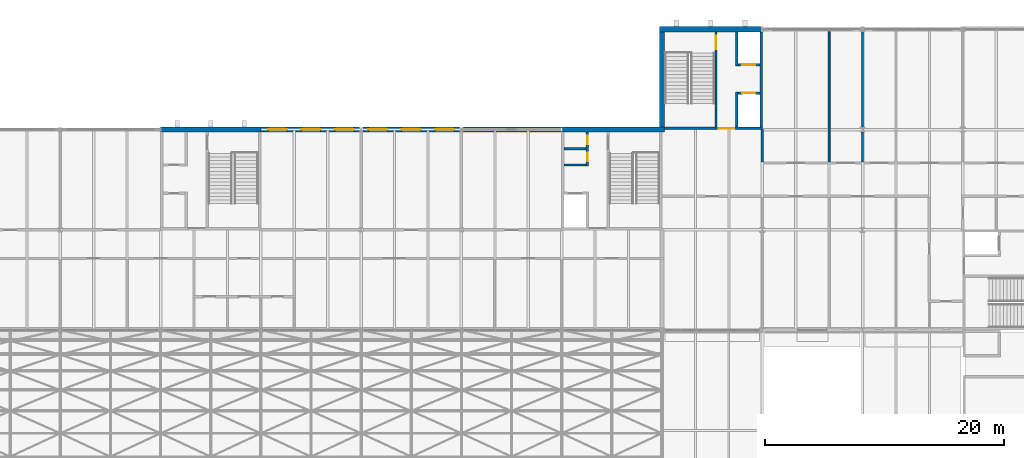
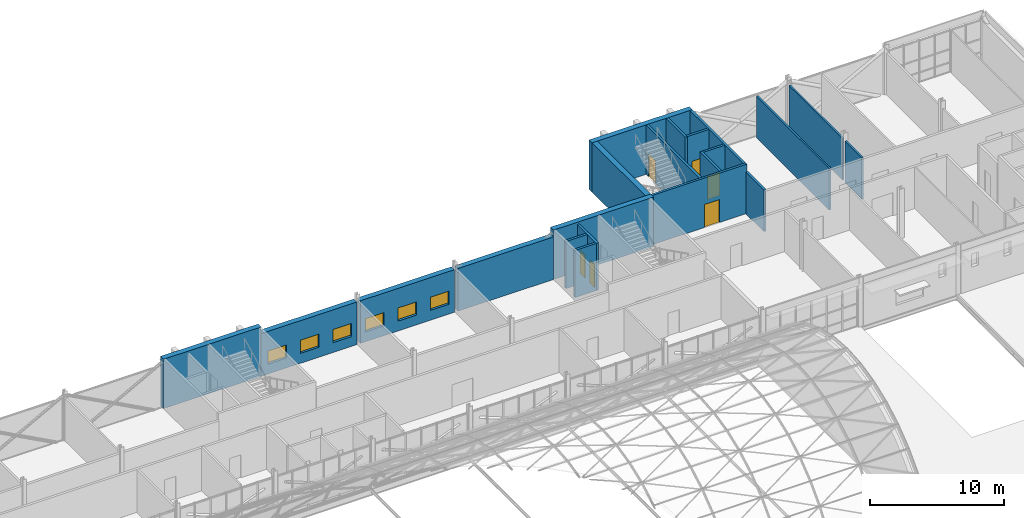
# One storey, part 89 of 121: 21 walls, 6 doors, 6 windows, 12 openings.
"""IFC4 building model written with IfcOpenShell, lengths in metres."""

from ifc_helpers import new_model, si_unit, direction, frame, frame_2d, origin, place, context, subcontext, project, spatial, rectangle, extrude, material, layer, layer_set, type_object, element, fill, save


model = new_model("IFC4")

# Units and contexts
model_context = context("Model", 3, precision=1e-05, world=origin(), true_north=direction((0.0, 1.0)))
body_context = subcontext(model_context, "Body", "Model", "MODEL_VIEW")
ifc_project = project(units=[si_unit("LENGTHUNIT", "METRE"), si_unit("AREAUNIT", "SQUARE_METRE"), si_unit("VOLUMEUNIT", "CUBIC_METRE"), si_unit("PLANEANGLEUNIT", "RADIAN"), si_unit("MASSUNIT", "GRAM", prefix="KILO")], contexts=[model_context])

# Site, building, storey
site_placement = place(None, origin())
site = spatial("IfcSite", under=ifc_project, at=site_placement, CompositionType="ELEMENT")
building_placement = place(site_placement, origin())
building = spatial("IfcBuilding", under=site, at=building_placement, Name="Ardhachandra Cancer Care Centre", CompositionType="ELEMENT")
storey_placement = place(building_placement, frame((0.0, 0.0, 9.0)))
storey = spatial("IfcBuildingStorey", under=building, at=storey_placement, Name="L02", CompositionType="ELEMENT", Elevation=9.0)

# Walls
ifc_material_1 = material(Name="Gypsum board corridor partition on steel studs", Category="steel")
ifc_layer_1 = layer(ifc_material_1, 0.199951171875)
ifc_layer_set_1 = layer_set([ifc_layer_1], Name="Gypsum board corridor partition on steel studs")
wall_type_1 = type_object("IfcWallType", Name="CORRIDOR WALL 200", PredefinedType="PARTITIONING", material=ifc_layer_set_1)
wall_1_placement = place(storey_placement, frame((120.0, 93.89990234375, 0.0), z_axis=(0.0, 0.0, 1.0), x_axis=(0.0, 1.0, 0.0)))
element("IfcWall", 1, at=wall_1_placement, inside=storey, type_object=wall_type_1, Name="R/wall/L02/v0120000_0093900", PredefinedType="PARTITIONING", context=body_context, shape_type="SweptSolid", body=[
    extrude(rectangle(XDim=2.7001953125, YDim=0.199951171875, at=frame_2d((1.35009765625, 0.0))), origin(), (0.0, 0.0, 1.0), 3.800048828125),
])
ifc_material_2 = material(Name="Concrete M40", Category="concrete")
ifc_layer_2 = layer(ifc_material_2, 0.449951171875)
ifc_layer_set_2 = layer_set([ifc_layer_2], Name="Concrete M40")
wall_type_2 = type_object("IfcWallType", Name="Core exterior wall RC 450", PredefinedType="SOLIDWALL", material=ifc_layer_set_2)
wall_2_placement = place(storey_placement, frame((111.824951171875, 96.60009765625, 0.0), z_axis=(0.0, 0.0, 1.0), x_axis=(-1.0, 0.0, 0.0)))
element("IfcWall", 2, at=wall_2_placement, inside=storey, type_object=wall_type_2, Name="Core wall K7 FAR", PredefinedType="SOLIDWALL", context=body_context, shape_type="SweptSolid", body=[
    extrude(rectangle(XDim=8.625, YDim=0.449951171875, at=frame_2d((4.3125, 0.0))), origin(), (0.0, 0.0, 1.0), 4.5),
])
wall_3_placement = place(storey_placement, frame((78.0, 96.60009765625, 0.0), z_axis=(0.0, 0.0, 1.0), x_axis=(-1.0, 0.0, 0.0)))
element("IfcWall", 3, at=wall_3_placement, inside=storey, type_object=wall_type_2, Name="Core wall K8 FAR", PredefinedType="SOLIDWALL", context=body_context, shape_type="SweptSolid", body=[
    extrude(rectangle(XDim=8.39990234375, YDim=0.449951171875, at=frame_2d((4.199951171875, 0.0))), origin(), (0.0, 0.0, 1.0), 4.5),
])
wall_4_placement = place(storey_placement, frame((111.375, 105.0, 0.0), z_axis=(0.0, 0.0, 1.0), x_axis=(1.0, 0.0, 0.0)))
element("IfcWall", 4, at=wall_4_placement, inside=storey, type_object=wall_type_2, Name="Core wall K12 FAR", PredefinedType="SOLIDWALL", context=body_context, shape_type="SweptSolid", body=[
    extrude(rectangle(XDim=8.625, YDim=0.449951171875, at=frame_2d((4.3125, 0.0))), origin(), (0.0, 0.0, 1.0), 4.5),
])
wall_5_placement = place(storey_placement, frame((111.60009765625, 96.824951171875, 0.0), z_axis=(0.0, 0.0, 1.0), x_axis=(0.0, 1.0, 0.0)))
element("IfcWall", 5, at=wall_5_placement, inside=storey, type_object=wall_type_2, Name="Core wall K12 UW", PredefinedType="SOLIDWALL", context=body_context, shape_type="SweptSolid", body=[
    extrude(rectangle(XDim=7.949951171875, YDim=0.449951171875, at=frame_2d((3.97509765625, 0.0))), origin(), (0.0, 0.0, 1.0), 4.5),
])

# Wall, openings, doors
ifc_material_3 = material(Name="Concrete M40", Category="concrete")
ifc_layer_3 = layer(ifc_material_3, 0.199951171875)
ifc_layer_set_3 = layer_set([ifc_layer_3], Name="Concrete M40")
wall_type_3 = type_object("IfcWallType", Name="Core wall RC 200", PredefinedType="SOLIDWALL", material=ifc_layer_set_3)
wall_6_placement = place(storey_placement, frame((105.35009765625, 93.52490234375, 0.0), z_axis=(0.0, 0.0, 1.0), x_axis=(0.0, 1.0, 0.0)))
wall_6 = element("IfcWall", 6, at=wall_6_placement, inside=storey, type_object=wall_type_3, Name="Core wall K7 P2B", PredefinedType="SOLIDWALL", context=body_context, shape_type="SweptSolid", body=[
    extrude(rectangle(XDim=2.85009765625, YDim=0.199951171875, at=frame_2d((1.425048828125, 0.0))), origin(), (0.0, 0.0, 1.0), 4.300048828125),
])
opening_1_placement = place(wall_6_placement, frame((0.425048828125, 0.0, 0.0)))
opening_1 = element("IfcOpeningElement", 7, at=opening_1_placement, cuts=wall_6, Name="Opening L02-K07-4", PredefinedType="OPENING", context=body_context, shape_type="SweptSolid", body=[
    extrude(rectangle(XDim=0.699951171875, YDim=2.10009765625, at=frame_2d((0.35009765625, 1.050048828125))), frame((0.0, 0.10986328125, 0.0), z_axis=(0.0, -1.0, 0.0), x_axis=(1.0, 0.0, 0.0)), (0.0, 0.0, 1.0), 0.219970703125),
])
opening_2_placement = place(wall_6_placement, frame((1.85009765625, 0.0, 0.0)))
opening_2 = element("IfcOpeningElement", 8, at=opening_2_placement, cuts=wall_6, Name="Opening L02-K07-5", PredefinedType="OPENING", context=body_context, shape_type="SweptSolid", body=[
    extrude(rectangle(XDim=0.699951171875, YDim=2.10009765625, at=frame_2d((0.35009765625, 1.050048828125))), frame((0.0, 0.10986328125, 0.0), z_axis=(0.0, -1.0, 0.0), x_axis=(1.0, 0.0, 0.0)), (0.0, 0.0, 1.0), 0.219970703125),
])
ifc_material_4 = material(Name="Steel door set", Category="steel")
door_type_1 = type_object("IfcDoorType", Name="Riser access door 700x2100 FD120S", OperationType="NOTDEFINED", PredefinedType="DOOR", material=ifc_material_4)
door_1_placement = place(opening_1_placement, origin())
door_1 = element("IfcDoor", 9, at=door_1_placement, inside=storey, type_object=door_type_1, Name="Riser access door", OperationType="SINGLE_SWING_RIGHT", OverallHeight=2.10009765625, OverallWidth=0.699951171875, PredefinedType="DOOR", context=body_context, shape_type="SweptSolid", body=[
    extrude(rectangle(XDim=0.699951171875, YDim=2.10009765625, at=frame_2d((0.35009765625, 1.050048828125))), frame((0.0, 0.02490234375, 0.0), z_axis=(0.0, -1.0, 0.0), x_axis=(1.0, 0.0, 0.0)), (0.0, 0.0, 1.0), 0.050048828125),
])
fill(opening_1, door_1)
door_2_placement = place(opening_2_placement, origin())
door_2 = element("IfcDoor", 10, at=door_2_placement, inside=storey, type_object=door_type_1, Name="Riser access door", OperationType="SINGLE_SWING_LEFT", OverallHeight=2.10009765625, OverallWidth=0.699951171875, PredefinedType="DOOR", context=body_context, shape_type="SweptSolid", body=[
    extrude(rectangle(XDim=0.699951171875, YDim=2.10009765625, at=frame_2d((0.35009765625, 1.050048828125))), frame((0.0, 0.02490234375, 0.0), z_axis=(0.0, -1.0, 0.0), x_axis=(1.0, 0.0, 0.0)), (0.0, 0.0, 1.0), 0.050048828125),
])
fill(opening_2, door_2)

# Walls
for number, where, z_axis, x_axis, name in (
    (11, (105.25, 93.625, 0.0), (0.0, 0.0, 1.0), (-1.0, 0.0, 0.0), "Core wall K7 W2"),
    (12, (105.25, 94.97509765625, 0.0), (0.0, 0.0, 1.0), (-1.0, 0.0, 0.0), "Core wall K7 DIV"),
):
    element("IfcWall", number, at=place(storey_placement, frame(where, z_axis=z_axis, x_axis=x_axis)), inside=storey, type_object=wall_type_3, Name=name, PredefinedType="SOLIDWALL", context=body_context, shape_type="SweptSolid", body=[
        extrude(rectangle(XDim=1.85009765625, YDim=0.199951171875, at=frame_2d((0.925048828125, 0.0))), origin(), (0.0, 0.0, 1.0), 4.300048828125),
    ])

# Wall, opening, door
wall_7_placement = place(storey_placement, frame((111.824951171875, 96.699951171875, 0.0), z_axis=(0.0, 0.0, 1.0), x_axis=(1.0, 0.0, 0.0)))
wall_7 = element("IfcWall", 13, at=wall_7_placement, inside=storey, type_object=wall_type_3, Name="Core wall K12 ENT", PredefinedType="SOLIDWALL", context=body_context, shape_type="SweptSolid", body=[
    extrude(rectangle(XDim=8.175048828125, YDim=0.199951171875, at=frame_2d((4.08740234375, 0.0))), origin(), (0.0, 0.0, 1.0), 4.5),
])
opening_3_placement = place(wall_7_placement, frame((4.512451171875, 0.0, 0.0)))
opening_3 = element("IfcOpeningElement", 14, at=opening_3_placement, cuts=wall_7, Name="Opening L02-K12-1", PredefinedType="OPENING", context=body_context, shape_type="SweptSolid", body=[
    extrude(rectangle(XDim=1.300048828125, YDim=2.10009765625, at=frame_2d((0.64990234375, 1.050048828125))), frame((0.0, 0.10986328125, 0.0), z_axis=(0.0, -1.0, 0.0), x_axis=(1.0, 0.0, 0.0)), (0.0, 0.0, 1.0), 0.219970703125),
])
ifc_material_5 = material(Name="Steel door set", Category="steel")
door_type_2 = type_object("IfcDoorType", Name="Core entry double door 1300x2100 FD60", OperationType="DOUBLE_DOOR_DOUBLE_SWING", PredefinedType="DOOR", material=ifc_material_5)
door_3_placement = place(opening_3_placement, origin())
door_3 = element("IfcDoor", 15, at=door_3_placement, inside=storey, type_object=door_type_2, Name="Core entry door", OperationType="DOUBLE_DOOR_DOUBLE_SWING", OverallHeight=2.10009765625, OverallWidth=1.300048828125, PredefinedType="DOOR", context=body_context, shape_type="SweptSolid", body=[
    extrude(rectangle(XDim=1.300048828125, YDim=2.10009765625, at=frame_2d((0.64990234375, 1.050048828125))), frame((0.0, 0.02490234375, 0.0), z_axis=(0.0, -1.0, 0.0), x_axis=(1.0, 0.0, 0.0)), (0.0, 0.0, 1.0), 0.050048828125),
])
fill(opening_3, door_3)

# Wall
wall_8_placement = place(storey_placement, frame((119.89990234375, 96.800048828125, 0.0), z_axis=(0.0, 0.0, 1.0), x_axis=(0.0, 1.0, 0.0)))
element("IfcWall", 16, at=wall_8_placement, inside=storey, type_object=wall_type_3, Name="Core wall K12 UE", PredefinedType="SOLIDWALL", context=body_context, shape_type="SweptSolid", body=[
    extrude(rectangle(XDim=7.974853515625, YDim=0.199951171875, at=frame_2d((3.9873046875, 0.0))), origin(), (0.0, 0.0, 1.0), 4.5),
])

# Wall, opening, door
wall_9_placement = place(storey_placement, frame((116.125, 96.800048828125, 0.0), z_axis=(0.0, 0.0, 1.0), x_axis=(0.0, 1.0, 0.0)))
wall_9 = element("IfcWall", 17, at=wall_9_placement, inside=storey, type_object=wall_type_3, Name="Core wall K12 P1", PredefinedType="SOLIDWALL", context=body_context, shape_type="SweptSolid", body=[
    extrude(rectangle(XDim=7.974853515625, YDim=0.199951171875, at=frame_2d((3.9873046875, 0.0))), origin(), (0.0, 0.0, 1.0), 4.5),
])
opening_4_placement = place(wall_9_placement, frame((6.53759765625, 0.0, 0.0)))
opening_4 = element("IfcOpeningElement", 18, at=opening_4_placement, cuts=wall_9, Name="Opening L02-K12-2", PredefinedType="OPENING", context=body_context, shape_type="SweptSolid", body=[
    extrude(rectangle(XDim=1.10009765625, YDim=2.10009765625, at=frame_2d((0.550048828125, 1.050048828125))), frame((0.0, 0.10986328125, 0.0), z_axis=(0.0, -1.0, 0.0), x_axis=(1.0, 0.0, 0.0)), (0.0, 0.0, 1.0), 0.219970703125),
])
ifc_material_6 = material(Name="Steel door set", Category="steel")
door_type_3 = type_object("IfcDoorType", Name="Stair door 1100x2100 FD60S", OperationType="NOTDEFINED", PredefinedType="DOOR", material=ifc_material_6)
door_4_placement = place(opening_4_placement, origin())
door_4 = element("IfcDoor", 19, at=door_4_placement, inside=storey, type_object=door_type_3, Name="Stair door", OperationType="SINGLE_SWING_RIGHT", OverallHeight=2.10009765625, OverallWidth=1.10009765625, PredefinedType="DOOR", context=body_context, shape_type="SweptSolid", body=[
    extrude(rectangle(XDim=1.10009765625, YDim=2.10009765625, at=frame_2d((0.550048828125, 1.050048828125))), frame((0.0, 0.02490234375, 0.0), z_axis=(0.0, -1.0, 0.0), x_axis=(1.0, 0.0, 0.0)), (0.0, 0.0, 1.0), 0.050048828125),
])
fill(opening_4, door_4)

# Walls
wall_10_placement = place(storey_placement, frame((117.85009765625, 96.800048828125, 0.0), z_axis=(0.0, 0.0, 1.0), x_axis=(0.0, 1.0, 0.0)))
element("IfcWall", 20, at=wall_10_placement, inside=storey, type_object=wall_type_3, Name="Core wall K12 P2A", PredefinedType="SOLIDWALL", context=body_context, shape_type="SweptSolid", body=[
    extrude(rectangle(XDim=2.949951171875, YDim=0.199951171875, at=frame_2d((1.47509765625, 0.0))), origin(), (0.0, 0.0, 1.0), 4.5),
])
wall_11_placement = place(storey_placement, frame((117.85009765625, 101.925048828125, 0.0), z_axis=(0.0, 0.0, 1.0), x_axis=(0.0, 1.0, 0.0)))
element("IfcWall", 21, at=wall_11_placement, inside=storey, type_object=wall_type_3, Name="Core wall K12 P2B", PredefinedType="SOLIDWALL", context=body_context, shape_type="SweptSolid", body=[
    extrude(rectangle(XDim=2.849853515625, YDim=0.199951171875, at=frame_2d((1.4248046875, 0.0))), origin(), (0.0, 0.0, 1.0), 4.5),
])

# Wall, opening, door
wall_12_placement = place(storey_placement, frame((117.949951171875, 99.64990234375, 0.0), z_axis=(0.0, 0.0, 1.0), x_axis=(1.0, 0.0, 0.0)))
wall_12 = element("IfcWall", 22, at=wall_12_placement, inside=storey, type_object=wall_type_3, Name="Core wall K12 W1", PredefinedType="SOLIDWALL", context=body_context, shape_type="SweptSolid", body=[
    extrude(rectangle(XDim=1.85009765625, YDim=0.199951171875, at=frame_2d((0.925048828125, 0.0))), origin(), (0.0, 0.0, 1.0), 4.5),
])
opening_5_placement = place(wall_12_placement, frame((0.375, 0.0, 0.0)))
opening_5 = element("IfcOpeningElement", 23, at=opening_5_placement, cuts=wall_12, Name="Opening L02-K12-3", PredefinedType="OPENING", context=body_context, shape_type="SweptSolid", body=[
    extrude(rectangle(XDim=1.10009765625, YDim=2.10009765625, at=frame_2d((0.550048828125, 1.050048828125))), frame((0.0, 0.10986328125, 0.0), z_axis=(0.0, -1.0, 0.0), x_axis=(1.0, 0.0, 0.0)), (0.0, 0.0, 1.0), 0.219970703125),
])
ifc_material_7 = material(Name="Stainless steel (grade 304)", Category="steel")
door_type_4 = type_object("IfcDoorType", Name="Lift landing door 1100x2100", OperationType="DOUBLE_DOOR_SLIDING", PredefinedType="DOOR", material=ifc_material_7)
door_5_placement = place(opening_5_placement, origin())
door_5 = element("IfcDoor", 24, at=door_5_placement, inside=storey, type_object=door_type_4, Name="Lift landing door LF-K12-1", OperationType="DOUBLE_DOOR_SLIDING", OverallHeight=2.10009765625, OverallWidth=1.10009765625, PredefinedType="DOOR", context=body_context, shape_type="SweptSolid", body=[
    extrude(rectangle(XDim=1.10009765625, YDim=2.10009765625, at=frame_2d((0.550048828125, 1.050048828125))), frame((0.0, 0.02490234375, 0.0), z_axis=(0.0, -1.0, 0.0), x_axis=(1.0, 0.0, 0.0)), (0.0, 0.0, 1.0), 0.050048828125),
])
fill(opening_5, door_5)

wall_13_placement = place(storey_placement, frame((117.949951171875, 102.02490234375, 0.0), z_axis=(0.0, 0.0, 1.0), x_axis=(1.0, 0.0, 0.0)))
wall_13 = element("IfcWall", 25, at=wall_13_placement, inside=storey, type_object=wall_type_3, Name="Core wall K12 W2", PredefinedType="SOLIDWALL", context=body_context, shape_type="SweptSolid", body=[
    extrude(rectangle(XDim=1.85009765625, YDim=0.199951171875, at=frame_2d((0.925048828125, 0.0))), origin(), (0.0, 0.0, 1.0), 4.5),
])
opening_6_placement = place(wall_13_placement, frame((0.375, 0.0, 0.0)))
opening_6 = element("IfcOpeningElement", 26, at=opening_6_placement, cuts=wall_13, Name="Opening L02-K12-4", PredefinedType="OPENING", context=body_context, shape_type="SweptSolid", body=[
    extrude(rectangle(XDim=1.10009765625, YDim=2.10009765625, at=frame_2d((0.550048828125, 1.050048828125))), frame((0.0, 0.10986328125, 0.0), z_axis=(0.0, -1.0, 0.0), x_axis=(1.0, 0.0, 0.0)), (0.0, 0.0, 1.0), 0.219970703125),
])
door_6_placement = place(opening_6_placement, origin())
door_6 = element("IfcDoor", 27, at=door_6_placement, inside=storey, type_object=door_type_4, Name="Lift landing door LF-K12-2", OperationType="DOUBLE_DOOR_SLIDING", OverallHeight=2.10009765625, OverallWidth=1.10009765625, PredefinedType="DOOR", context=body_context, shape_type="SweptSolid", body=[
    extrude(rectangle(XDim=1.10009765625, YDim=2.10009765625, at=frame_2d((0.550048828125, 1.050048828125))), frame((0.0, 0.02490234375, 0.0), z_axis=(0.0, -1.0, 0.0), x_axis=(1.0, 0.0, 0.0)), (0.0, 0.0, 1.0), 0.050048828125),
])
fill(opening_6, door_6)

# Wall, openings, windows
ifc_material_8 = material(Name="Brick masonry (clay brick, cement mortar) with polyisocyanurate insulation", Category="masonry")
ifc_layer_4 = layer(ifc_material_8, 0.449951171875)
ifc_layer_set_4 = layer_set([ifc_layer_4], Name="Brick masonry (clay brick, cement mortar) with polyisocyanurate insulation")
wall_type_4 = type_object("IfcWallType", Name="Insulated brick wall 450", PredefinedType="SOLIDWALL", material=ifc_layer_set_4)
wall_14_placement = place(storey_placement, frame((78.0, 96.60009765625, 0.0), z_axis=(0.0, 0.0, 1.0), x_axis=(1.0, 0.0, 0.0)))
wall_14 = element("IfcWall", 28, at=wall_14_placement, inside=storey, type_object=wall_type_4, Name="E/wall/L02/n/0078000_0096600", PredefinedType="SOLIDWALL", context=body_context, shape_type="SweptSolid", body=[
    extrude(rectangle(XDim=8.25, YDim=0.449951171875, at=frame_2d((4.125, 0.0))), origin(), (0.0, 0.0, 1.0), 3.885986328125),
])
opening_7_placement = place(wall_14_placement, frame((0.60009765625, 0.0, 0.89990234375)))
opening_7 = element("IfcOpeningElement", 29, at=opening_7_placement, cuts=wall_14, Name="Opening W5", PredefinedType="OPENING", context=body_context, shape_type="SweptSolid", body=[
    extrude(rectangle(XDim=1.60009765625, YDim=1.199951171875, at=frame_2d((0.800048828125, 0.60009765625))), frame((0.0, 0.23486328125, 0.0), z_axis=(0.0, -1.0, 0.0), x_axis=(1.0, 0.0, 0.0)), (0.0, 0.0, 1.0), 0.469970703125),
])
opening_8_placement = place(wall_14_placement, frame((3.39990234375, 0.0, 0.89990234375)))
opening_8 = element("IfcOpeningElement", 30, at=opening_8_placement, cuts=wall_14, Name="Opening W5", PredefinedType="OPENING", context=body_context, shape_type="SweptSolid", body=[
    extrude(rectangle(XDim=1.60009765625, YDim=1.199951171875, at=frame_2d((0.800048828125, 0.60009765625))), frame((0.0, 0.23486328125, 0.0), z_axis=(0.0, -1.0, 0.0), x_axis=(1.0, 0.0, 0.0)), (0.0, 0.0, 1.0), 0.469970703125),
])
opening_9_placement = place(wall_14_placement, frame((6.199951171875, 0.0, 0.89990234375)))
opening_9 = element("IfcOpeningElement", 31, at=opening_9_placement, cuts=wall_14, Name="Opening W5", PredefinedType="OPENING", context=body_context, shape_type="SweptSolid", body=[
    extrude(rectangle(XDim=1.60009765625, YDim=1.199951171875, at=frame_2d((0.800048828125, 0.60009765625))), frame((0.0, 0.23486328125, 0.0), z_axis=(0.0, -1.0, 0.0), x_axis=(1.0, 0.0, 0.0)), (0.0, 0.0, 1.0), 0.469970703125),
])
ifc_material_9 = material(Name="Aluminium frame with double-glazed unit", Category="aluminium")
window_type = type_object("IfcWindowType", Name="Plant louvre window 1600 x 1200", PartitioningType="SINGLE_PANEL", PredefinedType="WINDOW", material=ifc_material_9)
window_1_placement = place(opening_7_placement, origin())
window_1 = element("IfcWindow", 32, at=window_1_placement, inside=storey, type_object=window_type, Name="W5 window L02 n/0078000_0096600 1", OverallHeight=1.199951171875, OverallWidth=1.60009765625, PartitioningType="SINGLE_PANEL", PredefinedType="WINDOW", context=body_context, shape_type="SweptSolid", body=[
    extrude(rectangle(XDim=1.60009765625, YDim=1.199951171875, at=frame_2d((0.800048828125, 0.60009765625))), frame((0.0, 0.030029296875, 0.0), z_axis=(0.0, -1.0, 0.0), x_axis=(1.0, 0.0, 0.0)), (0.0, 0.0, 1.0), 0.06005859375),
])
fill(opening_7, window_1)
window_2_placement = place(opening_8_placement, origin())
window_2 = element("IfcWindow", 33, at=window_2_placement, inside=storey, type_object=window_type, Name="W5 window L02 n/0078000_0096600 2", OverallHeight=1.199951171875, OverallWidth=1.60009765625, PartitioningType="SINGLE_PANEL", PredefinedType="WINDOW", context=body_context, shape_type="SweptSolid", body=[
    extrude(rectangle(XDim=1.60009765625, YDim=1.199951171875, at=frame_2d((0.800048828125, 0.60009765625))), frame((0.0, 0.030029296875, 0.0), z_axis=(0.0, -1.0, 0.0), x_axis=(1.0, 0.0, 0.0)), (0.0, 0.0, 1.0), 0.06005859375),
])
fill(opening_8, window_2)
window_3_placement = place(opening_9_placement, origin())
window_3 = element("IfcWindow", 34, at=window_3_placement, inside=storey, type_object=window_type, Name="W5 window L02 n/0078000_0096600 3", OverallHeight=1.199951171875, OverallWidth=1.60009765625, PartitioningType="SINGLE_PANEL", PredefinedType="WINDOW", context=body_context, shape_type="SweptSolid", body=[
    extrude(rectangle(XDim=1.60009765625, YDim=1.199951171875, at=frame_2d((0.800048828125, 0.60009765625))), frame((0.0, 0.030029296875, 0.0), z_axis=(0.0, -1.0, 0.0), x_axis=(1.0, 0.0, 0.0)), (0.0, 0.0, 1.0), 0.06005859375),
])
fill(opening_9, window_3)

wall_15_placement = place(storey_placement, frame((86.550048828125, 96.60009765625, 0.0), z_axis=(0.0, 0.0, 1.0), x_axis=(1.0, 0.0, 0.0)))
wall_15 = element("IfcWall", 35, at=wall_15_placement, inside=storey, type_object=wall_type_4, Name="E/wall/L02/n/0086400_0096600", PredefinedType="SOLIDWALL", context=body_context, shape_type="SweptSolid", body=[
    extrude(rectangle(XDim=8.099853515625, YDim=0.449951171875, at=frame_2d((4.0498046875, 0.0))), origin(), (0.0, 0.0, 1.0), 3.885986328125),
])
opening_10_placement = place(wall_15_placement, frame((0.449951171875, 0.0, 0.89990234375)))
opening_10 = element("IfcOpeningElement", 36, at=opening_10_placement, cuts=wall_15, Name="Opening W5", PredefinedType="OPENING", context=body_context, shape_type="SweptSolid", body=[
    extrude(rectangle(XDim=1.60009765625, YDim=1.199951171875, at=frame_2d((0.800048828125, 0.60009765625))), frame((0.0, 0.23486328125, 0.0), z_axis=(0.0, -1.0, 0.0), x_axis=(1.0, 0.0, 0.0)), (0.0, 0.0, 1.0), 0.469970703125),
])
opening_11_placement = place(wall_15_placement, frame((3.25, 0.0, 0.89990234375)))
opening_11 = element("IfcOpeningElement", 37, at=opening_11_placement, cuts=wall_15, Name="Opening W5", PredefinedType="OPENING", context=body_context, shape_type="SweptSolid", body=[
    extrude(rectangle(XDim=1.60009765625, YDim=1.199951171875, at=frame_2d((0.800048828125, 0.60009765625))), frame((0.0, 0.23486328125, 0.0), z_axis=(0.0, -1.0, 0.0), x_axis=(1.0, 0.0, 0.0)), (0.0, 0.0, 1.0), 0.469970703125),
])
opening_12_placement = place(wall_15_placement, frame((6.050048828125, 0.0, 0.89990234375)))
opening_12 = element("IfcOpeningElement", 38, at=opening_12_placement, cuts=wall_15, Name="Opening W5", PredefinedType="OPENING", context=body_context, shape_type="SweptSolid", body=[
    extrude(rectangle(XDim=1.60009765625, YDim=1.199951171875, at=frame_2d((0.800048828125, 0.60009765625))), frame((0.0, 0.23486328125, 0.0), z_axis=(0.0, -1.0, 0.0), x_axis=(1.0, 0.0, 0.0)), (0.0, 0.0, 1.0), 0.469970703125),
])
window_4_placement = place(opening_10_placement, origin())
window_4 = element("IfcWindow", 39, at=window_4_placement, inside=storey, type_object=window_type, Name="W5 window L02 n/0086400_0096600 1", OverallHeight=1.199951171875, OverallWidth=1.60009765625, PartitioningType="SINGLE_PANEL", PredefinedType="WINDOW", context=body_context, shape_type="SweptSolid", body=[
    extrude(rectangle(XDim=1.60009765625, YDim=1.199951171875, at=frame_2d((0.800048828125, 0.60009765625))), frame((0.0, 0.030029296875, 0.0), z_axis=(0.0, -1.0, 0.0), x_axis=(1.0, 0.0, 0.0)), (0.0, 0.0, 1.0), 0.06005859375),
])
fill(opening_10, window_4)
window_5_placement = place(opening_11_placement, origin())
window_5 = element("IfcWindow", 40, at=window_5_placement, inside=storey, type_object=window_type, Name="W5 window L02 n/0086400_0096600 2", OverallHeight=1.199951171875, OverallWidth=1.60009765625, PartitioningType="SINGLE_PANEL", PredefinedType="WINDOW", context=body_context, shape_type="SweptSolid", body=[
    extrude(rectangle(XDim=1.60009765625, YDim=1.199951171875, at=frame_2d((0.800048828125, 0.60009765625))), frame((0.0, 0.030029296875, 0.0), z_axis=(0.0, -1.0, 0.0), x_axis=(1.0, 0.0, 0.0)), (0.0, 0.0, 1.0), 0.06005859375),
])
fill(opening_11, window_5)
window_6_placement = place(opening_12_placement, origin())
window_6 = element("IfcWindow", 41, at=window_6_placement, inside=storey, type_object=window_type, Name="W5 window L02 n/0086400_0096600 3", OverallHeight=1.199951171875, OverallWidth=1.60009765625, PartitioningType="SINGLE_PANEL", PredefinedType="WINDOW", context=body_context, shape_type="SweptSolid", body=[
    extrude(rectangle(XDim=1.60009765625, YDim=1.199951171875, at=frame_2d((0.800048828125, 0.60009765625))), frame((0.0, 0.030029296875, 0.0), z_axis=(0.0, -1.0, 0.0), x_axis=(1.0, 0.0, 0.0)), (0.0, 0.0, 1.0), 0.06005859375),
])
fill(opening_12, window_6)

# Walls
wall_16_placement = place(storey_placement, frame((94.949951171875, 96.60009765625, 0.0), z_axis=(0.0, 0.0, 1.0), x_axis=(1.0, 0.0, 0.0)))
element("IfcWall", 42, at=wall_16_placement, inside=storey, type_object=wall_type_4, Name="E/wall/L02/n/0094800_0096600", PredefinedType="SOLIDWALL", context=body_context, shape_type="SweptSolid", body=[
    extrude(rectangle(XDim=8.25, YDim=0.449951171875, at=frame_2d((4.125, 0.0))), origin(), (0.0, 0.0, 1.0), 3.885986328125),
])
ifc_material_10 = material(Name="Gypsum board partition on steel studs", Category="steel")
ifc_layer_5 = layer(ifc_material_10, 0.14990234375)
ifc_layer_set_5 = layer_set([ifc_layer_5], Name="Gypsum board partition on steel studs")
wall_type_5 = type_object("IfcWallType", Name="PARTITION 150", PredefinedType="PARTITIONING", material=ifc_layer_set_5)
wall_17_placement = place(storey_placement, frame((125.60009765625, 93.89990234375, 0.0), z_axis=(0.0, 0.0, 1.0), x_axis=(0.0, 1.0, 0.0)))
element("IfcWall", 43, at=wall_17_placement, inside=storey, type_object=wall_type_5, Name="R/wall/L02/v0125600_0093900", PredefinedType="PARTITIONING", context=body_context, shape_type="SweptSolid", body=[
    extrude(rectangle(XDim=10.875, YDim=0.14990234375, at=frame_2d((5.4375, 0.0))), origin(), (0.0, 0.0, 1.0), 3.800048828125),
])
wall_18_placement = place(storey_placement, frame((128.39990234375, 93.89990234375, 0.0), z_axis=(0.0, 0.0, 1.0), x_axis=(0.0, 1.0, 0.0)))
element("IfcWall", 44, at=wall_18_placement, inside=storey, type_object=wall_type_5, Name="R/wall/L02/v0128400_0093900", PredefinedType="PARTITIONING", context=body_context, shape_type="SweptSolid", body=[
    extrude(rectangle(XDim=2.502685546875, YDim=0.14990234375, at=frame_2d((1.25146484375, 0.0))), origin(), (0.0, 0.0, 1.0), 3.800048828125),
])
wall_19_placement = place(storey_placement, frame((128.39990234375, 96.797607421875, 0.0), z_axis=(0.0, 0.0, 1.0), x_axis=(0.0, 1.0, 0.0)))
element("IfcWall", 45, at=wall_19_placement, inside=storey, type_object=wall_type_5, Name="R/wall/L02/v0128400_0096798", PredefinedType="PARTITIONING", context=body_context, shape_type="SweptSolid", body=[
    extrude(rectangle(XDim=7.977294921875, YDim=0.14990234375, at=frame_2d((3.98876953125, 0.0))), origin(), (0.0, 0.0, 1.0), 3.800048828125),
])

save(model, "model.ifc")
